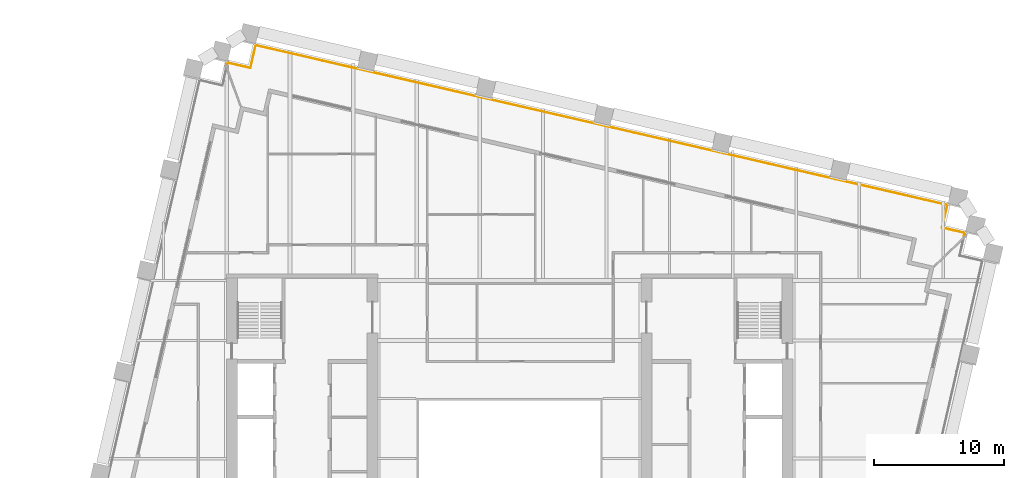
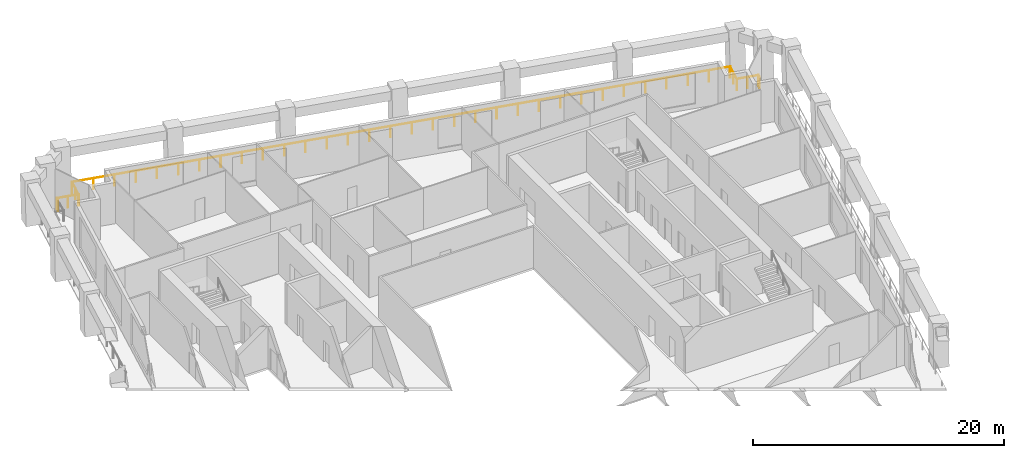
# One storey, part 10 of 10: 1 railing.
"""IFC4 building model written with IfcOpenShell, lengths in metres."""

import ifcopenshell
import ifcopenshell.guid

model = None  # the IFC model being written
_history = None  # IfcOwnerHistory: only IFC2X3 demands one
_inside = {}  # id of a spatial element -> (the spatial element, [elements in it])
_under = {}  # id of a project, library or spatial element -> (it, [spatial elements below it])
_declared = {}  # id of a project -> (the project, [libraries it declares])
_typed = {}  # id of a type object -> (the type object, [elements of that type])
_made_of = {}  # id of a material, layer set ... -> (it, [elements and type objects made of it])


def new_model(schema):
    """Start an empty IFC model of exactly this schema.

    Asked for "IFC4X3", IfcOpenShell would pick the latest addendum, in which some entities
    have other attributes; the version numbers below select the first issue.
    IFC2X3 requires an IfcOwnerHistory on every rooted entity: one is made here for all.
    """
    global model, _history
    if schema == "IFC4X3":
        model = ifcopenshell.file(schema_version=(4, 3, 0, 0))
    else:
        model = ifcopenshell.file(schema=schema)
    _inside.clear()
    _under.clear()
    _declared.clear()
    _typed.clear()
    _made_of.clear()
    _history = None
    if model.schema == "IFC2X3":
        org = make("IfcOrganization", Name="unknown")
        user = make(
            "IfcPersonAndOrganization",
            ThePerson=make("IfcPerson", FamilyName="unknown"),
            TheOrganization=org,
        )
        app = make(
            "IfcApplication",
            ApplicationDeveloper=org,
            Version="unknown",
            ApplicationFullName="unknown",
            ApplicationIdentifier="unknown",
        )
        _history = make(
            "IfcOwnerHistory",
            OwningUser=user,
            OwningApplication=app,
            ChangeAction="ADDED",
            CreationDate=0,
        )
    return model


def make(cls, **values):
    """One entity of the class cls with the attributes given. An attribute that is None is left unset."""
    return model.create_entity(
        cls, **{name: value for name, value in values.items() if value is not None}
    )


def rooted(cls, **values):
    """An entity with a GlobalId (a new one), such as an element, a storey or a relation."""
    return make(cls, GlobalId=ifcopenshell.guid.new(), OwnerHistory=_history, **values)


def si_unit(unit_type, name, prefix=None):
    """IfcSIUnit, for example si_unit("LENGTHUNIT", "METRE", prefix="MILLI")."""
    return make("IfcSIUnit", UnitType=unit_type, Prefix=prefix, Name=name)


def assignment(units):
    """IfcUnitAssignment: the units of a project."""
    return None if units is None else make("IfcUnitAssignment", Units=units)


def point(xyz):
    """IfcCartesianPoint."""
    return None if xyz is None else make("IfcCartesianPoint", Coordinates=xyz)


def direction(xyz):
    """IfcDirection."""
    return None if xyz is None else make("IfcDirection", DirectionRatios=xyz)


def frame(location, z_axis=None, x_axis=None):
    """IfcAxis2Placement3D, a coordinate frame: its origin and axes. An axis left out is left unset."""
    return make(
        "IfcAxis2Placement3D",
        Location=point(location),
        Axis=direction(z_axis),
        RefDirection=direction(x_axis),
    )


def frame_2d(location, x_axis=None):
    """IfcAxis2Placement2D, a coordinate frame in the plane: its origin and x axis."""
    return make(
        "IfcAxis2Placement2D", Location=point(location), RefDirection=direction(x_axis)
    )


def origin():
    """The frame at (0, 0, 0) with its axes left unset."""
    return frame((0.0, 0.0, 0.0))


def origin_2d():
    """The frame at (0, 0) in the plane with its x axis left unset."""
    return frame_2d((0.0, 0.0))


def place(relative_to, where):
    """IfcLocalPlacement: puts the frame where relative to a parent placement (None: the world)."""
    return make(
        "IfcLocalPlacement", PlacementRelTo=relative_to, RelativePlacement=where
    )


def context(
    kind, dimensions, precision=None, world=None, true_north=None, identifier=None
):
    """IfcGeometricRepresentationContext, for example the 3D "Model" context."""
    return make(
        "IfcGeometricRepresentationContext",
        ContextIdentifier=identifier,
        ContextType=kind,
        CoordinateSpaceDimension=dimensions,
        Precision=precision,
        WorldCoordinateSystem=world,
        TrueNorth=true_north,
    )


def subcontext(parent, identifier, kind, view, scale=None):
    """IfcGeometricRepresentationSubContext, for example "Body" below "Model"."""
    return make(
        "IfcGeometricRepresentationSubContext",
        ContextIdentifier=identifier,
        ContextType=kind,
        ParentContext=parent,
        TargetScale=scale,
        TargetView=view,
    )


def project(units=None, contexts=None):
    """IfcProject with its units and contexts."""
    return rooted(
        "IfcProject",
        Name="project",
        RepresentationContexts=contexts,
        UnitsInContext=assignment(units),
    )


def spatial(cls, under=None, at=None, **own):
    """A site, building, storey or space (cls), placed at a placement, below another one or the project."""
    s = rooted(cls, ObjectPlacement=at, **own)
    if under is not None:
        _under.setdefault(under.id(), (under, []))[1].append(s)
    return s


def profile(cls, at=None, kind="AREA", **sizes):
    """A parametric profile (cls). Its sizes go by their IFC names, for example OverallWidth=200.0."""
    return make(cls, ProfileType=kind, Position=at, **sizes)


def circle(**sizes):
    """IfcCircleProfileDef."""
    return profile("IfcCircleProfileDef", **sizes)


def extrude(swept, where, along, depth):
    """IfcExtrudedAreaSolid: the profile swept, set in the frame where, extruded along a direction by depth."""
    return make(
        "IfcExtrudedAreaSolid",
        SweptArea=swept,
        Position=where,
        ExtrudedDirection=direction(along),
        Depth=depth,
    )


def shape(context_of_items, identifier, shape_type, items):
    """IfcShapeRepresentation: the items that make up one representation, for example the "Body"."""
    return make(
        "IfcShapeRepresentation",
        ContextOfItems=context_of_items,
        RepresentationIdentifier=identifier,
        RepresentationType=shape_type,
        Items=items,
    )


def material(Name=None, Category=None):
    """IfcMaterial."""
    return make("IfcMaterial", Name=Name, Category=Category)


def made_of(thing, what):
    """Note that an element or type object is made of a material, layer set ...; save() writes the relation."""
    if what is not None:
        _made_of.setdefault(what.id(), (what, []))[1].append(thing)
    return thing


def type_object(cls, material=None, **own):
    """A type object (cls), such as IfcWallType, which elements share."""
    return made_of(rooted(cls, **own), material)


def element(
    cls,
    number,
    at=None,
    inside=None,
    cuts=None,
    type_object=None,
    material=None,
    context=None,
    identifier="Body",
    shape_type=None,
    held_by="IfcProductDefinitionShape",
    body=None,
    shapes=None,
    **own,
):
    """One element of the class cls, such as IfcWall. Its Tag is "e" and its number.

    at: its placement. inside: the storey or other place that contains it. cuts: it is an
    opening in that element (IfcRelVoidsElement). A single representation is given by context,
    identifier, shape_type and body (its items); several are given by shapes. held_by: the class
    of the entity that holds the representations. save() writes the other relations.
    """
    e = rooted(cls, Tag="e%d" % number, ObjectPlacement=at, **own)
    if body is not None:
        shapes = [shape(context, identifier, shape_type, body)]
    if shapes is not None:
        e.Representation = make(held_by, Representations=shapes)
    if inside is not None:
        _inside.setdefault(inside.id(), (inside, []))[1].append(e)
    if cuts is not None:
        rooted(
            "IfcRelVoidsElement", RelatingBuildingElement=cuts, RelatedOpeningElement=e
        )
    if type_object is not None:
        _typed.setdefault(type_object.id(), (type_object, []))[1].append(e)
    return made_of(e, material)


def aggregate(whole, parts):
    """IfcRelAggregates: a whole, such as a stair, and the parts it consists of."""
    return rooted("IfcRelAggregates", RelatingObject=whole, RelatedObjects=parts)


def save(model, path):
    """Write the relations noted so far, then the file.

    IfcRelAggregates (storeys below a building ...), IfcRelContainedInSpatialStructure (elements
    in a storey), IfcRelDefinesByType, IfcRelAssociatesMaterial and IfcRelDeclares: one each for
    every whole, place, type object, material and project.
    """
    for whole, parts in _under.values():
        aggregate(whole, parts)
    for where, things in _inside.values():
        rooted(
            "IfcRelContainedInSpatialStructure",
            RelatedElements=things,
            RelatingStructure=where,
        )
    for kind, things in _typed.values():
        rooted("IfcRelDefinesByType", RelatedObjects=things, RelatingType=kind)
    for what, things in _made_of.values():
        rooted("IfcRelAssociatesMaterial", RelatedObjects=things, RelatingMaterial=what)
    for by, libraries in _declared.values():
        rooted("IfcRelDeclares", RelatingContext=by, RelatedDefinitions=libraries)
    model.write(path)


model = new_model("IFC4")

# Units and contexts
model_context = context("Model", 3, precision=1e-05, world=origin(), true_north=direction((0.0, 1.0)))
body_context = subcontext(model_context, "Body", "Model", "MODEL_VIEW")
ifc_project = project(units=[si_unit("LENGTHUNIT", "METRE"), si_unit("AREAUNIT", "SQUARE_METRE"), si_unit("VOLUMEUNIT", "CUBIC_METRE"), si_unit("PLANEANGLEUNIT", "RADIAN"), si_unit("MASSUNIT", "GRAM", prefix="KILO")], contexts=[model_context])

# Site, building, storey
site_placement = place(None, origin())
site = spatial("IfcSite", under=ifc_project, at=site_placement, CompositionType="ELEMENT")
building_placement = place(site_placement, origin())
building = spatial("IfcBuilding", under=site, at=building_placement, Name="Ogive Exchange Tower", CompositionType="ELEMENT")
storey_placement = place(building_placement, frame((0.0, 0.0, 114.0)))
storey = spatial("IfcBuildingStorey", under=building, at=storey_placement, Name="L24", CompositionType="ELEMENT", Elevation=114.0)

# Railing
ifc_material = material(Name="Stainless steel 316", Category="steel")
railing_type = type_object("IfcRailingType", Name="Guard 1100 stainless steel and glass", PredefinedType="GUARDRAIL", material=ifc_material)
railing_placement = place(storey_placement, frame((-21.797607421875, 41.801513671875, -0.050048828125)))
element("IfcRailing", 1, at=railing_placement, inside=storey, type_object=railing_type, Name="Loggia guard 3", PredefinedType="GUARDRAIL", context=body_context, shape_type="SweptSolid", body=[
    extrude(circle(Radius=0.02392578125, at=origin_2d()), frame((0.0, 0.0, 1.076171875), z_axis=(0.225439720527, 0.974257118223, 0.0), x_axis=(-0.974257118223, 0.225439720527, 0.0)), (0.0, 0.0, 1.0), 0.245849609375),
    extrude(circle(Radius=0.02392578125, at=origin_2d()), frame((0.055419921875, 0.239501953125, 1.076171875), z_axis=(0.974356896201, -0.225008086135, 0.0), x_axis=(0.225008086135, 0.974356896201, 0.0)), (0.0, 0.0, 1.0), 1.800048828125),
    extrude(circle(Radius=0.02392578125, at=origin_2d()), frame((1.809326171875, -0.16552734375, 1.076171875), z_axis=(0.224879318197, 0.974386623598, 0.0), x_axis=(-0.974386623598, 0.224879318197, 0.0)), (0.0, 0.0, 1.0), 1.800048828125),
    extrude(circle(Radius=0.02392578125, at=origin_2d()), frame((2.214111328125, 1.58837890625, 1.076171875), z_axis=(0.974369851199, -0.224951979483, 0.0), x_axis=(0.224951979483, 0.974369851199, 0.0)), (0.0, 0.0, 1.0), 54.760009765625),
    extrude(circle(Radius=0.02392578125, at=origin_2d()), frame((55.570556640625, -10.72998046875, 1.076171875), z_axis=(-0.224879318197, -0.974386623598, 0.0), x_axis=(0.974386623598, -0.224879318197, 0.0)), (0.0, 0.0, 1.0), 1.800048828125),
    extrude(circle(Radius=0.02392578125, at=origin_2d()), frame((55.165771484375, -12.48388671875, 1.076171875), z_axis=(0.974386623598, -0.224879318197, 0.0), x_axis=(0.224879318197, 0.974386623598, 0.0)), (0.0, 0.0, 1.0), 1.800048828125),
    extrude(circle(Radius=0.02392578125, at=origin_2d()), frame((56.919677734375, -12.888671875, 1.076171875), z_axis=(-0.225439720527, -0.974257118223, 0.0), x_axis=(0.974257118223, -0.225439720527, 0.0)), (0.0, 0.0, 1.0), 0.245849609375),
    extrude(circle(Radius=0.02099609375, at=origin_2d()), origin(), (0.0, 0.0, 1.0), 1.052001953125),
    extrude(circle(Radius=0.02099609375, at=origin_2d()), frame((0.055419921875, 0.239501953125, 0.0)), (0.0, 0.0, 1.0), 1.052001953125),
    extrude(circle(Radius=0.02099609375, at=origin_2d()), frame((0.932373046875, 0.037109375, 0.0)), (0.0, 0.0, 1.0), 1.052001953125),
    extrude(circle(Radius=0.02099609375, at=origin_2d()), frame((1.809326171875, -0.16552734375, 0.0)), (0.0, 0.0, 1.0), 1.052001953125),
    extrude(circle(Radius=0.02099609375, at=origin_2d()), frame((2.01171875, 0.71142578125, 0.0)), (0.0, 0.0, 1.0), 1.052001953125),
    extrude(circle(Radius=0.02099609375, at=origin_2d()), frame((2.214111328125, 1.58837890625, 0.0)), (0.0, 0.0, 1.0), 1.052001953125),
    extrude(circle(Radius=0.02099609375, at=origin_2d()), frame((3.935302734375, 1.19091796875, 0.0)), (0.0, 0.0, 1.0), 1.052001953125),
    extrude(circle(Radius=0.02099609375, at=origin_2d()), frame((5.656494140625, 0.793701171875, 0.0)), (0.0, 0.0, 1.0), 1.052001953125),
    extrude(circle(Radius=0.02099609375, at=origin_2d()), frame((7.377685546875, 0.396240234375, 0.0)), (0.0, 0.0, 1.0), 1.052001953125),
    extrude(circle(Radius=0.02099609375, at=origin_2d()), frame((9.098876953125, -0.0009765625, 0.0)), (0.0, 0.0, 1.0), 1.052001953125),
    extrude(circle(Radius=0.02099609375, at=origin_2d()), frame((10.820068359375, -0.3984375, 0.0)), (0.0, 0.0, 1.0), 1.052001953125),
    extrude(circle(Radius=0.02099609375, at=origin_2d()), frame((12.541259765625, -0.7958984375, 0.0)), (0.0, 0.0, 1.0), 1.052001953125),
    extrude(circle(Radius=0.02099609375, at=origin_2d()), frame((14.262451171875, -1.193115234375, 0.0)), (0.0, 0.0, 1.0), 1.052001953125),
    extrude(circle(Radius=0.02099609375, at=origin_2d()), frame((15.9833984375, -1.590576171875, 0.0)), (0.0, 0.0, 1.0), 1.052001953125),
    extrude(circle(Radius=0.02099609375, at=origin_2d()), frame((17.70458984375, -1.988037109375, 0.0)), (0.0, 0.0, 1.0), 1.052001953125),
    extrude(circle(Radius=0.02099609375, at=origin_2d()), frame((19.42578125, -2.38525390625, 0.0)), (0.0, 0.0, 1.0), 1.052001953125),
    extrude(circle(Radius=0.02099609375, at=origin_2d()), frame((21.14697265625, -2.78271484375, 0.0)), (0.0, 0.0, 1.0), 1.052001953125),
    extrude(circle(Radius=0.02099609375, at=origin_2d()), frame((22.8681640625, -3.179931640625, 0.0)), (0.0, 0.0, 1.0), 1.052001953125),
    extrude(circle(Radius=0.02099609375, at=origin_2d()), frame((24.58935546875, -3.577392578125, 0.0)), (0.0, 0.0, 1.0), 1.052001953125),
    extrude(circle(Radius=0.02099609375, at=origin_2d()), frame((26.310546875, -3.974853515625, 0.0)), (0.0, 0.0, 1.0), 1.052001953125),
    extrude(circle(Radius=0.02099609375, at=origin_2d()), frame((28.03173828125, -4.3720703125, 0.0)), (0.0, 0.0, 1.0), 1.052001953125),
    extrude(circle(Radius=0.02099609375, at=origin_2d()), frame((29.7529296875, -4.76953125, 0.0)), (0.0, 0.0, 1.0), 1.052001953125),
    extrude(circle(Radius=0.02099609375, at=origin_2d()), frame((31.47412109375, -5.166748046875, 0.0)), (0.0, 0.0, 1.0), 1.052001953125),
    extrude(circle(Radius=0.02099609375, at=origin_2d()), frame((33.1953125, -5.564208984375, 0.0)), (0.0, 0.0, 1.0), 1.052001953125),
    extrude(circle(Radius=0.02099609375, at=origin_2d()), frame((34.91650390625, -5.961669921875, 0.0)), (0.0, 0.0, 1.0), 1.052001953125),
    extrude(circle(Radius=0.02099609375, at=origin_2d()), frame((36.6376953125, -6.35888671875, 0.0)), (0.0, 0.0, 1.0), 1.052001953125),
    extrude(circle(Radius=0.02099609375, at=origin_2d()), frame((38.35888671875, -6.75634765625, 0.0)), (0.0, 0.0, 1.0), 1.052001953125),
    extrude(circle(Radius=0.02099609375, at=origin_2d()), frame((40.080078125, -7.153564453125, 0.0)), (0.0, 0.0, 1.0), 1.052001953125),
    extrude(circle(Radius=0.02099609375, at=origin_2d()), frame((41.80126953125, -7.551025390625, 0.0)), (0.0, 0.0, 1.0), 1.052001953125),
    extrude(circle(Radius=0.02099609375, at=origin_2d()), frame((43.522216796875, -7.948486328125, 0.0)), (0.0, 0.0, 1.0), 1.052001953125),
    extrude(circle(Radius=0.02099609375, at=origin_2d()), frame((45.243408203125, -8.345703125, 0.0)), (0.0, 0.0, 1.0), 1.052001953125),
    extrude(circle(Radius=0.02099609375, at=origin_2d()), frame((46.964599609375, -8.7431640625, 0.0)), (0.0, 0.0, 1.0), 1.052001953125),
    extrude(circle(Radius=0.02099609375, at=origin_2d()), frame((48.685791015625, -9.140625, 0.0)), (0.0, 0.0, 1.0), 1.052001953125),
    extrude(circle(Radius=0.02099609375, at=origin_2d()), frame((50.406982421875, -9.537841796875, 0.0)), (0.0, 0.0, 1.0), 1.052001953125),
    extrude(circle(Radius=0.02099609375, at=origin_2d()), frame((52.128173828125, -9.935302734375, 0.0)), (0.0, 0.0, 1.0), 1.052001953125),
    extrude(circle(Radius=0.02099609375, at=origin_2d()), frame((53.849365234375, -10.33251953125, 0.0)), (0.0, 0.0, 1.0), 1.052001953125),
    extrude(circle(Radius=0.02099609375, at=origin_2d()), frame((55.570556640625, -10.72998046875, 0.0)), (0.0, 0.0, 1.0), 1.052001953125),
    extrude(circle(Radius=0.02099609375, at=origin_2d()), frame((55.3681640625, -11.60693359375, 0.0)), (0.0, 0.0, 1.0), 1.052001953125),
    extrude(circle(Radius=0.02099609375, at=origin_2d()), frame((55.165771484375, -12.48388671875, 0.0)), (0.0, 0.0, 1.0), 1.052001953125),
    extrude(circle(Radius=0.02099609375, at=origin_2d()), frame((56.042724609375, -12.686279296875, 0.0)), (0.0, 0.0, 1.0), 1.052001953125),
    extrude(circle(Radius=0.02099609375, at=origin_2d()), frame((56.919677734375, -12.888671875, 0.0)), (0.0, 0.0, 1.0), 1.052001953125),
    extrude(circle(Radius=0.02099609375, at=origin_2d()), frame((56.8642578125, -13.128173828125, 0.0)), (0.0, 0.0, 1.0), 1.052001953125),
])

save(model, "model.ifc")
